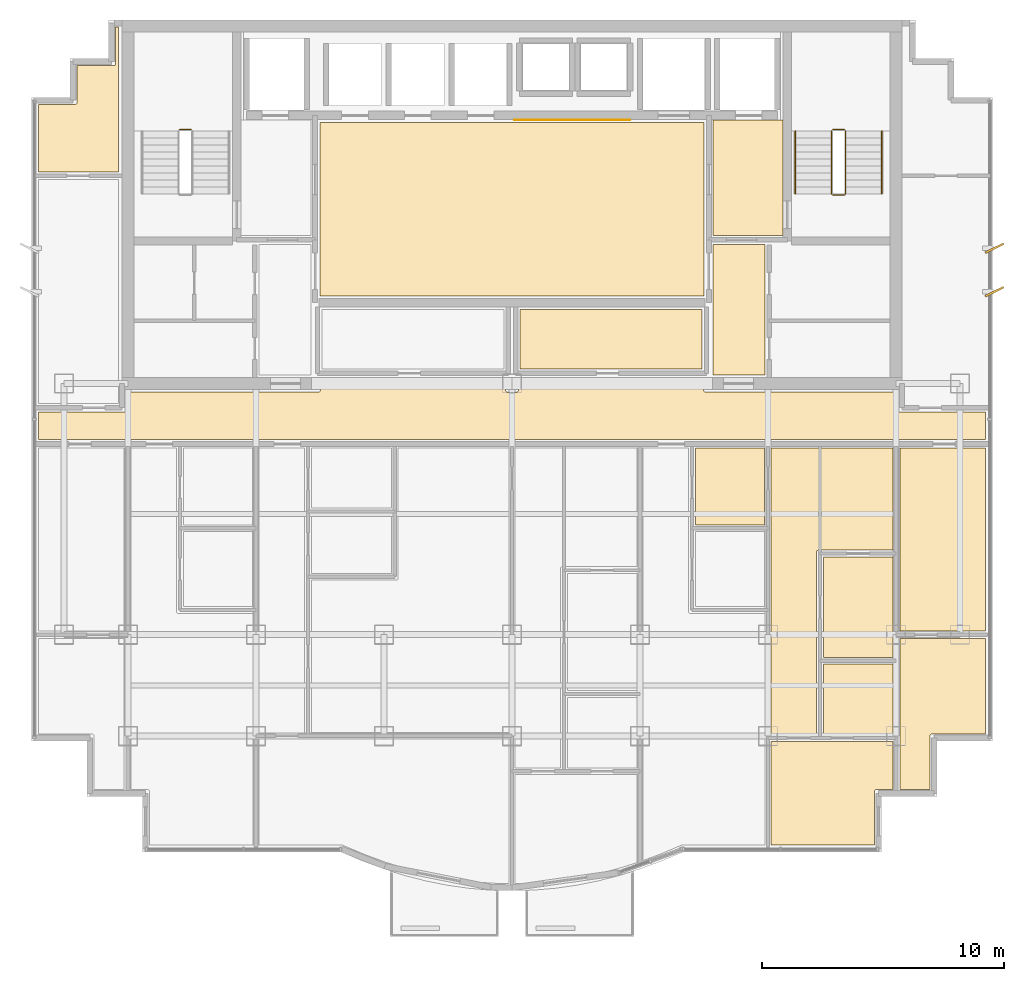
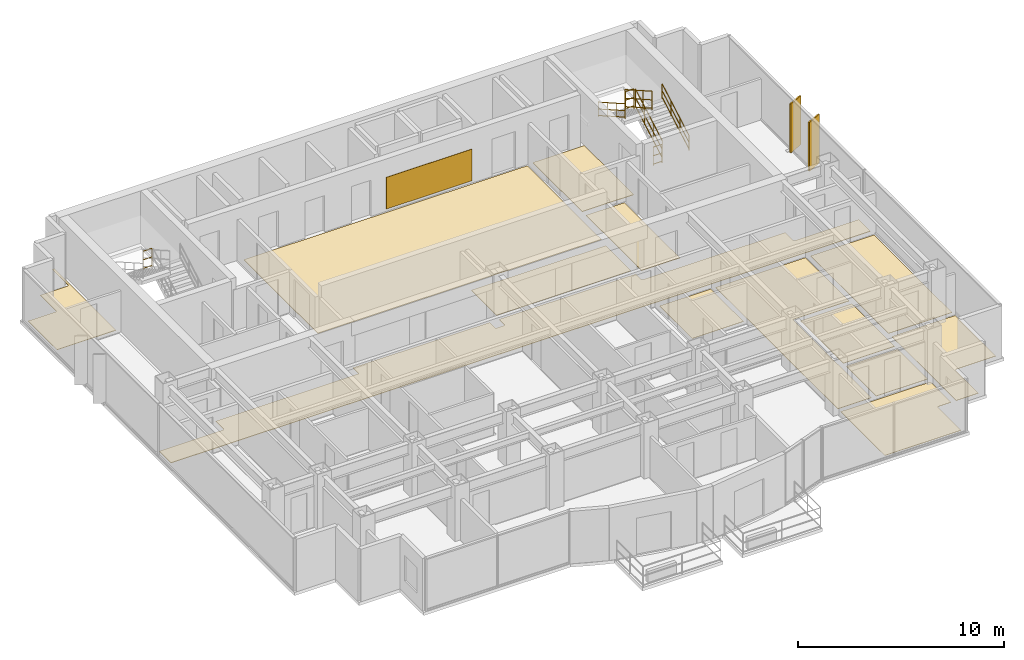
# One storey, part 12 of 12: 14 coverings, 7 railings, 2 shading devices.
"""IFC4 building model written with IfcOpenShell, lengths in metres."""

from ifc_helpers import new_model, si_unit, direction, frame, origin, origin_2d, place, context, subcontext, project, spatial, polyline, rectangle, circle, outline, extrude, source, transform, mapped, material, layer, layer_set, type_object, element, save


model = new_model("IFC4")

# Units and contexts
model_context = context("Model", 3, precision=1e-05, world=origin(), true_north=direction((0.0, 1.0)))
body_context = subcontext(model_context, "Body", "Model", "MODEL_VIEW")
ifc_project = project(units=[si_unit("LENGTHUNIT", "METRE"), si_unit("AREAUNIT", "SQUARE_METRE"), si_unit("VOLUMEUNIT", "CUBIC_METRE"), si_unit("PLANEANGLEUNIT", "RADIAN"), si_unit("MASSUNIT", "GRAM", prefix="KILO")], contexts=[model_context])

# Site, building, storey
site_placement = place(None, origin())
site = spatial("IfcSite", under=ifc_project, at=site_placement, CompositionType="ELEMENT")
building_placement = place(site_placement, origin())
building = spatial("IfcBuilding", under=site, at=building_placement, Name="Qianlan Lanfeng Residences", CompositionType="ELEMENT")
storey_placement = place(building_placement, frame((0.0, 0.0, 200.0)))
storey = spatial("IfcBuildingStorey", under=building, at=storey_placement, Name="L54", CompositionType="ELEMENT", Elevation=200.0)

# Coverings
ifc_material_1 = material(Name="Anodised Bronze Feature Wall Cladding")
ifc_layer_1 = layer(ifc_material_1, 0.02490234375)
ifc_layer_set_1 = layer_set([ifc_layer_1], Name="Anodised Bronze Feature Wall Cladding")
covering_type_1 = type_object("IfcCoveringType", Name="CLD-BRZ-25", PredefinedType="CLADDING", material=ifc_layer_set_1)
covering_1_placement = place(storey_placement, frame((0.0, 0.0, 0.14990234375)))
element("IfcCovering", 1, at=covering_1_placement, inside=storey, type_object=covering_type_1, Name="L54 Lift Lobby Bronze Feature Cladding", PredefinedType="CLADDING", context=body_context, shape_type="SweptSolid", body=[
    extrude(outline(polyline([(26.60009765625, 36.10009765625), (31.39990234375, 36.10009765625), (31.39990234375, 36.125), (26.60009765625, 36.125), (26.60009765625, 36.10009765625)])), origin(), (0.0, 0.0, 1.0), 1.880126953125),
])
ifc_material_2 = material(Name="Honed Taitung Granite Stone Flooring", Category="masonry")
ifc_layer_2 = layer(ifc_material_2, 0.030029296875)
ifc_layer_set_2 = layer_set([ifc_layer_2], Name="Honed Taitung Granite Stone Flooring")
covering_type_2 = type_object("IfcCoveringType", Name="FLR-STN-30", PredefinedType="FLOORING", material=ifc_layer_set_2)
covering_2_placement = place(storey_placement, origin())
element("IfcCovering", 2, at=covering_2_placement, inside=storey, type_object=covering_type_2, Name="L54 Firefighting Lift Lobby Floor Finish", PredefinedType="FLOORING", context=body_context, shape_type="SweptSolid", body=[
    extrude(outline(polyline([(34.820068359375, 31.320068359375), (37.7099609375, 31.320068359375), (37.7099609375, 36.110107421875), (34.820068359375, 36.110107421875), (34.820068359375, 31.320068359375)])), origin(), (0.0, 0.0, 1.0), 0.030029296875),
])
covering_3_placement = place(storey_placement, origin())
element("IfcCovering", 3, at=covering_3_placement, inside=storey, type_object=covering_type_2, Name="L54 Lift Lobby Floor Finish", PredefinedType="FLOORING", context=body_context, shape_type="SweptSolid", body=[
    extrude(outline(polyline([(18.550048828125, 28.820068359375), (34.449951171875, 28.820068359375), (34.449951171875, 36.010009765625), (18.550048828125, 36.010009765625), (18.550048828125, 28.820068359375)])), origin(), (0.0, 0.0, 1.0), 0.030029296875),
])
covering_4_placement = place(storey_placement, origin())
element("IfcCovering", 4, at=covering_4_placement, inside=storey, type_object=covering_type_2, Name="L54 Residential Corridor Floor Finish", PredefinedType="FLOORING", context=body_context, shape_type="SweptSolid", body=[
    extrude(outline(polyline([(6.889892578125, 22.8798828125), (46.110107421875, 22.8798828125), (46.110107421875, 24.02001953125), (42.5400390625, 24.02001953125), (42.532958984375, 24.02001953125), (42.52587890625, 24.02099609375), (42.52001953125, 24.02294921875), (42.512939453125, 24.02490234375), (42.507080078125, 24.028076171875), (42.5009765625, 24.031982421875), (42.49609375, 24.035888671875), (42.490966796875, 24.041015625), (42.486083984375, 24.0458984375), (42.48193359375, 24.051025390625), (42.47802734375, 24.056884765625), (42.47509765625, 24.06298828125), (42.472900390625, 24.070068359375), (42.470947265625, 24.075927734375), (42.469970703125, 24.0830078125), (42.469970703125, 24.090087890625), (42.469970703125, 24.85009765625), (34.5, 24.85009765625), (34.492919921875, 24.85009765625), (34.486083984375, 24.85107421875), (34.47998046875, 24.85302734375), (34.472900390625, 24.85498046875), (34.467041015625, 24.85791015625), (34.4609375, 24.862060546875), (34.4560546875, 24.865966796875), (34.450927734375, 24.87109375), (34.446044921875, 24.8759765625), (34.44189453125, 24.881103515625), (34.43798828125, 24.886962890625), (34.43505859375, 24.89306640625), (34.43310546875, 24.89990234375), (34.430908203125, 24.906005859375), (34.429931640625, 24.9130859375), (34.429931640625, 24.919921875), (34.429931640625, 25.429931640625), (26.77001953125, 25.429931640625), (26.77001953125, 24.919921875), (26.77001953125, 24.9130859375), (26.76904296875, 24.906005859375), (26.76708984375, 24.89990234375), (26.764892578125, 24.89306640625), (26.761962890625, 24.886962890625), (26.758056640625, 24.881103515625), (26.75390625, 24.8759765625), (26.7490234375, 24.87109375), (26.743896484375, 24.865966796875), (26.739013671875, 24.862060546875), (26.73291015625, 24.85791015625), (26.72705078125, 24.85498046875), (26.719970703125, 24.85302734375), (26.714111328125, 24.85107421875), (26.70703125, 24.85009765625), (26.699951171875, 24.85009765625), (26.300048828125, 24.85009765625), (26.29296875, 24.85009765625), (26.285888671875, 24.85107421875), (26.280029296875, 24.85302734375), (26.27294921875, 24.85498046875), (26.26708984375, 24.85791015625), (26.260986328125, 24.862060546875), (26.256103515625, 24.865966796875), (26.2509765625, 24.87109375), (26.24609375, 24.8759765625), (26.241943359375, 24.881103515625), (26.238037109375, 24.886962890625), (26.235107421875, 24.89306640625), (26.23291015625, 24.89990234375), (26.23095703125, 24.906005859375), (26.22998046875, 24.9130859375), (26.22998046875, 24.919921875), (26.22998046875, 25.429931640625), (18.570068359375, 25.429931640625), (18.570068359375, 24.919921875), (18.570068359375, 24.9130859375), (18.569091796875, 24.906005859375), (18.56689453125, 24.89990234375), (18.56494140625, 24.89306640625), (18.56201171875, 24.886962890625), (18.55810546875, 24.881103515625), (18.553955078125, 24.8759765625), (18.549072265625, 24.87109375), (18.5439453125, 24.865966796875), (18.5390625, 24.862060546875), (18.532958984375, 24.85791015625), (18.527099609375, 24.85498046875), (18.52001953125, 24.85302734375), (18.513916015625, 24.85107421875), (18.507080078125, 24.85009765625), (18.5, 24.85009765625), (10.530029296875, 24.85009765625), (10.530029296875, 24.090087890625), (10.530029296875, 24.0830078125), (10.529052734375, 24.075927734375), (10.527099609375, 24.070068359375), (10.52490234375, 24.06298828125), (10.52197265625, 24.056884765625), (10.51806640625, 24.051025390625), (10.513916015625, 24.0458984375), (10.509033203125, 24.041015625), (10.50390625, 24.035888671875), (10.4990234375, 24.031982421875), (10.492919921875, 24.028076171875), (10.487060546875, 24.02490234375), (10.47998046875, 24.02294921875), (10.47412109375, 24.02099609375), (10.467041015625, 24.02001953125), (10.4599609375, 24.02001953125), (6.889892578125, 24.02001953125), (6.889892578125, 22.8798828125)])), origin(), (0.0, 0.0, 1.0), 0.030029296875),
])
covering_5_placement = place(storey_placement, origin())
element("IfcCovering", 5, at=covering_5_placement, inside=storey, type_object=covering_type_2, Name="L54 Lift Lobby Floor Finish", PredefinedType="FLOORING", context=body_context, shape_type="SweptSolid", body=[
    extrude(outline(polyline([(34.830078125, 25.56005859375), (36.969970703125, 25.56005859375), (36.969970703125, 30.949951171875), (34.830078125, 30.949951171875), (34.830078125, 25.56005859375)])), origin(), (0.0, 0.0, 1.0), 0.030029296875),
])
ifc_material_3 = material(Name="Slip-Resistant Porcelain Tile Flooring")
ifc_layer_3 = layer(ifc_material_3, 0.02001953125)
ifc_layer_set_3 = layer_set([ifc_layer_3], Name="Slip-Resistant Porcelain Tile Flooring")
covering_type_3 = type_object("IfcCoveringType", Name="FLR-TIL-20", PredefinedType="FLOORING", material=ifc_layer_set_3)
covering_6_placement = place(storey_placement, origin())
element("IfcCovering", 6, at=covering_6_placement, inside=storey, type_object=covering_type_3, Name="L54 Bathroom Floor Finish", PredefinedType="FLOORING", context=body_context, shape_type="SweptSolid", body=[
    extrude(outline(polyline([(34.090087890625, 19.35009765625), (36.9599609375, 19.35009765625), (36.9599609375, 22.530029296875), (34.090087890625, 22.530029296875), (34.090087890625, 19.35009765625)])), origin(), (0.0, 0.0, 1.0), 0.02001953125),
])
covering_7_placement = place(storey_placement, origin())
element("IfcCovering", 7, at=covering_7_placement, inside=storey, type_object=covering_type_3, Name="L54 En-Suite Bathroom Floor Finish", PredefinedType="FLOORING", context=body_context, shape_type="SweptSolid", body=[
    extrude(outline(polyline([(39.389892578125, 10.659912109375), (42.27001953125, 10.659912109375), (42.27001953125, 13.580078125), (39.389892578125, 13.580078125), (39.389892578125, 10.659912109375)])), origin(), (0.0, 0.0, 1.0), 0.02001953125),
])
ifc_material_4 = material(Name="Engineered Smoked Oak Timber Flooring", Category="wood")
ifc_layer_4 = layer(ifc_material_4, 0.02197265625)
ifc_layer_set_4 = layer_set([ifc_layer_4], Name="Engineered Smoked Oak Timber Flooring")
covering_type_4 = type_object("IfcCoveringType", Name="FLR-TIM-22", PredefinedType="FLOORING", material=ifc_layer_set_4)
covering_8_placement = place(storey_placement, origin())
element("IfcCovering", 8, at=covering_8_placement, inside=storey, type_object=covering_type_4, Name="L54 Tea Room Floor Finish", PredefinedType="FLOORING", context=body_context, shape_type="SweptSolid", body=[
    extrude(outline(polyline([(26.830078125, 25.800048828125), (34.3701171875, 25.800048828125), (34.3701171875, 28.2548828125), (26.830078125, 28.2548828125), (26.830078125, 25.800048828125)])), origin(), (0.0, 0.0, 1.0), 0.02197265625),
])
covering_9_placement = place(storey_placement, origin())
element("IfcCovering", 9, at=covering_9_placement, inside=storey, type_object=covering_type_4, Name="L54 Private Study Floor Finish", PredefinedType="FLOORING", context=body_context, shape_type="SweptSolid", body=[
    extrude(outline(polyline([(39.389892578125, 13.860107421875), (42.27001953125, 13.860107421875), (42.27001953125, 18.02001953125), (39.389892578125, 18.02001953125), (39.389892578125, 13.860107421875)])), origin(), (0.0, 0.0, 1.0), 0.02197265625),
])
covering_10_placement = place(storey_placement, origin())
element("IfcCovering", 10, at=covering_10_placement, inside=storey, type_object=covering_type_4, Name="L54 Villa Family Sitting Room Floor Finish", PredefinedType="FLOORING", context=body_context, shape_type="SweptSolid", body=[
    extrude(outline(polyline([(37.22998046875, 10.659912109375), (39.110107421875, 10.659912109375), (39.110107421875, 18.22998046875), (39.110107421875, 18.237060546875), (39.111083984375, 18.243896484375), (39.113037109375, 18.25), (39.114990234375, 18.257080078125), (39.117919921875, 18.262939453125), (39.1220703125, 18.26904296875), (39.1259765625, 18.27392578125), (39.131103515625, 18.279052734375), (39.135986328125, 18.283935546875), (39.14111328125, 18.2880859375), (39.14697265625, 18.2919921875), (39.153076171875, 18.294921875), (39.159912109375, 18.297119140625), (39.166015625, 18.299072265625), (39.173095703125, 18.300048828125), (39.179931640625, 18.300048828125), (42.27001953125, 18.300048828125), (42.27001953125, 22.530029296875), (37.22998046875, 22.530029296875), (37.22998046875, 10.659912109375)])), origin(), (0.0, 0.0, 1.0), 0.02197265625),
])
covering_11_placement = place(storey_placement, origin())
element("IfcCovering", 11, at=covering_11_placement, inside=storey, type_object=covering_type_4, Name="L54 Master Bedroom Floor Finish", PredefinedType="FLOORING", context=body_context, shape_type="SweptSolid", body=[
    extrude(outline(polyline([(37.22998046875, 10.3798828125), (37.22998046875, 6.090087890625), (41.510009765625, 6.090087890625), (41.510009765625, 8.320068359375), (41.510009765625, 8.326904296875), (41.510986328125, 8.333984375), (41.512939453125, 8.340087890625), (41.514892578125, 8.346923828125), (41.51806640625, 8.35302734375), (41.52197265625, 8.35888671875), (41.52587890625, 8.364013671875), (41.531005859375, 8.368896484375), (41.535888671875, 8.3740234375), (41.541015625, 8.3779296875), (41.547119140625, 8.382080078125), (41.552978515625, 8.385009765625), (41.56005859375, 8.386962890625), (41.56591796875, 8.388916015625), (41.572998046875, 8.389892578125), (41.580078125, 8.389892578125), (42.27001953125, 8.389892578125), (42.27001953125, 10.3798828125), (37.22998046875, 10.3798828125)])), origin(), (0.0, 0.0, 1.0), 0.02197265625),
])
covering_12_placement = place(storey_placement, origin())
element("IfcCovering", 12, at=covering_12_placement, inside=storey, type_object=covering_type_4, Name="L54 Sunroom Floor Finish", PredefinedType="FLOORING", context=body_context, shape_type="SweptSolid", body=[
    extrude(outline(polyline([(46.110107421875, 14.64990234375), (42.56005859375, 14.64990234375), (42.56005859375, 8.389892578125), (43.81005859375, 8.389892578125), (43.81005859375, 10.6201171875), (43.81005859375, 10.626953125), (43.81103515625, 10.634033203125), (43.81298828125, 10.639892578125), (43.81494140625, 10.64697265625), (43.818115234375, 10.653076171875), (43.822021484375, 10.658935546875), (43.825927734375, 10.6640625), (43.8310546875, 10.6689453125), (43.8359375, 10.674072265625), (43.841064453125, 10.677978515625), (43.846923828125, 10.681884765625), (43.85302734375, 10.68505859375), (43.860107421875, 10.68701171875), (43.865966796875, 10.68896484375), (43.873046875, 10.68994140625), (43.8798828125, 10.68994140625), (46.110107421875, 10.68994140625), (46.110107421875, 14.64990234375)])), origin(), (0.0, 0.0, 1.0), 0.02197265625),
])
covering_13_placement = place(storey_placement, origin())
element("IfcCovering", 13, at=covering_13_placement, inside=storey, type_object=covering_type_4, Name="L54 Private Study Floor Finish", PredefinedType="FLOORING", context=body_context, shape_type="SweptSolid", body=[
    extrude(outline(polyline([(46.110107421875, 22.530029296875), (42.56005859375, 22.530029296875), (42.56005859375, 14.949951171875), (46.110107421875, 14.949951171875), (46.110107421875, 22.530029296875)])), origin(), (0.0, 0.0, 1.0), 0.02197265625),
])
covering_14_placement = place(storey_placement, origin())
element("IfcCovering", 14, at=covering_14_placement, inside=storey, type_object=covering_type_4, Name="L54 Resident Lounge Floor Finish", PredefinedType="FLOORING", context=body_context, shape_type="SweptSolid", body=[
    extrude(outline(polyline([(6.889892578125, 33.949951171875), (10.199951171875, 33.949951171875), (10.199951171875, 39.9599609375), (10.090087890625, 39.9599609375), (10.090087890625, 38.429931640625), (10.090087890625, 38.423095703125), (10.089111328125, 38.416015625), (10.0869140625, 38.409912109375), (10.0849609375, 38.403076171875), (10.08203125, 38.39697265625), (10.077880859375, 38.39111328125), (10.073974609375, 38.385986328125), (10.069091796875, 38.381103515625), (10.06396484375, 38.3759765625), (10.05908203125, 38.3720703125), (10.052978515625, 38.367919921875), (10.047119140625, 38.364990234375), (10.0400390625, 38.363037109375), (10.033935546875, 38.361083984375), (10.027099609375, 38.360107421875), (10.02001953125, 38.360107421875), (8.489990234375, 38.360107421875), (8.489990234375, 36.830078125), (8.489990234375, 36.822998046875), (8.489013671875, 36.81591796875), (8.487060546875, 36.81005859375), (8.485107421875, 36.802978515625), (8.48193359375, 36.797119140625), (8.47802734375, 36.791015625), (8.47412109375, 36.785888671875), (8.468994140625, 36.781005859375), (8.464111328125, 36.77587890625), (8.458984375, 36.77197265625), (8.452880859375, 36.76806640625), (8.447021484375, 36.764892578125), (8.43994140625, 36.762939453125), (8.43408203125, 36.760986328125), (8.427001953125, 36.760009765625), (8.419921875, 36.760009765625), (6.889892578125, 36.760009765625), (6.889892578125, 33.949951171875)])), origin(), (0.0, 0.0, 1.0), 0.02197265625),
])

# Railings
ifc_material_5 = material(Name="Painted Galvanised Steel Guardrail", Category="steel")
railing_type_1 = type_object("IfcRailingType", Name="GR-ST-1120", PredefinedType="GUARDRAIL", material=ifc_material_5)
railing_1_placement = place(storey_placement, frame((13.219970703125, 35.7099609375, 1.64990234375)))
element("IfcRailing", 15, at=railing_1_placement, inside=storey, type_object=railing_type_1, Name="L54 ST-1 stair guard 2", PredefinedType="GUARDRAIL", context=body_context, shape_type="SweptSolid", body=[
    extrude(circle(Radius=0.02392578125, at=origin_2d()), frame((0.0, 0.0, 0.083984375), z_axis=(-1.0, 0.0, 0.0), x_axis=(0.0, -1.0, 0.0)), (0.0, 0.0, 1.0), 0.47998046875),
    extrude(circle(Radius=0.02392578125, at=origin_2d()), frame((0.0, 0.0, 0.58251953125), z_axis=(-1.0, 0.0, 0.0), x_axis=(0.0, -1.0, 0.0)), (0.0, 0.0, 1.0), 0.47998046875),
    extrude(circle(Radius=0.02392578125, at=origin_2d()), frame((0.0, 0.0, 1.09619140625), z_axis=(-1.0, 0.0, 0.0), x_axis=(0.0, -1.0, 0.0)), (0.0, 0.0, 1.0), 0.47998046875),
    extrude(circle(Radius=0.02099609375, at=origin_2d()), origin(), (0.0, 0.0, 1.0), 1.072021484375),
    extrude(circle(Radius=0.02099609375, at=origin_2d()), frame((-0.47998046875, 0.0, 0.0)), (0.0, 0.0, 1.0), 1.072021484375),
])
railing_2_placement = place(storey_placement, frame((40.31005859375, 33.050048828125, 0.1650390625)))
element("IfcRailing", 16, at=railing_2_placement, inside=storey, type_object=railing_type_1, Name="L54 ST-2 stair guard 1", PredefinedType="GUARDRAIL", context=body_context, shape_type="SweptSolid", body=[
    extrude(circle(Radius=0.02392578125, at=origin_2d()), frame((0.0, 0.0, 0.083984375), z_axis=(0.0, 0.869172267526, 0.494509422927), x_axis=(-1.0, 0.0, 0.0)), (0.0, 0.0, 1.0), 3.002685546875),
    extrude(circle(Radius=0.02392578125, at=origin_2d()), frame((0.0, 0.0, 0.58251953125), z_axis=(0.0, 0.869172267526, 0.494509422927), x_axis=(-1.0, 0.0, 0.0)), (0.0, 0.0, 1.0), 3.002685546875),
    extrude(circle(Radius=0.02392578125, at=origin_2d()), frame((0.0, 0.0, 1.09619140625), z_axis=(0.0, 0.869172267526, 0.494509422927), x_axis=(-1.0, 0.0, 0.0)), (0.0, 0.0, 1.0), 3.002685546875),
    extrude(circle(Radius=0.02099609375, at=origin_2d()), origin(), (0.0, 0.0, 1.0), 1.072021484375),
    extrude(circle(Radius=0.02099609375, at=origin_2d()), frame((0.0, 0.869873046875, 0.494873046875)), (0.0, 0.0, 1.0), 1.072021484375),
    extrude(circle(Radius=0.02099609375, at=origin_2d()), frame((0.0, 1.739990234375, 0.989990234375)), (0.0, 0.0, 1.0), 1.072021484375),
    extrude(circle(Radius=0.02099609375, at=origin_2d()), frame((0.0, 2.60986328125, 1.48486328125)), (0.0, 0.0, 1.0), 1.072021484375),
])
railing_3_placement = place(storey_placement, frame((40.260009765625, 35.7099609375, 1.64990234375)))
element("IfcRailing", 17, at=railing_3_placement, inside=storey, type_object=railing_type_1, Name="L54 ST-2 stair guard 2", PredefinedType="GUARDRAIL", context=body_context, shape_type="SweptSolid", body=[
    extrude(circle(Radius=0.02392578125, at=origin_2d()), frame((0.0, 0.0, 0.083984375), z_axis=(-1.0, 0.0, 0.0), x_axis=(0.0, -1.0, 0.0)), (0.0, 0.0, 1.0), 0.47998046875),
    extrude(circle(Radius=0.02392578125, at=origin_2d()), frame((0.0, 0.0, 0.58251953125), z_axis=(-1.0, 0.0, 0.0), x_axis=(0.0, -1.0, 0.0)), (0.0, 0.0, 1.0), 0.47998046875),
    extrude(circle(Radius=0.02392578125, at=origin_2d()), frame((0.0, 0.0, 1.09619140625), z_axis=(-1.0, 0.0, 0.0), x_axis=(0.0, -1.0, 0.0)), (0.0, 0.0, 1.0), 0.47998046875),
    extrude(circle(Radius=0.02099609375, at=origin_2d()), origin(), (0.0, 0.0, 1.0), 1.072021484375),
    extrude(circle(Radius=0.02099609375, at=origin_2d()), frame((-0.47998046875, 0.0, 0.0)), (0.0, 0.0, 1.0), 1.072021484375),
])
railing_4_placement = place(storey_placement, frame((39.72998046875, 35.659912109375, 1.81494140625)))
element("IfcRailing", 18, at=railing_4_placement, inside=storey, type_object=railing_type_1, Name="L54 ST-2 stair guard 3", PredefinedType="GUARDRAIL", context=body_context, shape_type="SweptSolid", body=[
    extrude(circle(Radius=0.02392578125, at=origin_2d()), frame((0.0, 0.0, 0.083984375), z_axis=(0.0, -0.869137319866, 0.494570843475), x_axis=(1.0, 0.0, 0.0)), (0.0, 0.0, 1.0), 3.0029296875),
    extrude(circle(Radius=0.02392578125, at=origin_2d()), frame((0.0, 0.0, 0.58251953125), z_axis=(0.0, -0.869137319866, 0.494570843475), x_axis=(1.0, 0.0, 0.0)), (0.0, 0.0, 1.0), 3.0029296875),
    extrude(circle(Radius=0.02392578125, at=origin_2d()), frame((0.0, 0.0, 1.09619140625), z_axis=(0.0, -0.869137319866, 0.494570843475), x_axis=(1.0, 0.0, 0.0)), (0.0, 0.0, 1.0), 3.0029296875),
    extrude(circle(Radius=0.02099609375, at=origin_2d()), origin(), (0.0, 0.0, 1.0), 1.072021484375),
    extrude(circle(Radius=0.02099609375, at=origin_2d()), frame((0.0, -0.869873046875, 0.4951171875)), (0.0, 0.0, 1.0), 1.072021484375),
    extrude(circle(Radius=0.02099609375, at=origin_2d()), frame((0.0, -1.739990234375, 0.989990234375)), (0.0, 0.0, 1.0), 1.072021484375),
    extrude(circle(Radius=0.02099609375, at=origin_2d()), frame((0.0, -2.60986328125, 1.485107421875)), (0.0, 0.0, 1.0), 1.072021484375),
])
railing_5_placement = place(storey_placement, frame((40.260009765625, 33.0, 0.0)))
element("IfcRailing", 19, at=railing_5_placement, inside=storey, type_object=railing_type_1, Name="L54 ST-2 stair guard 4", PredefinedType="GUARDRAIL", context=body_context, shape_type="SweptSolid", body=[
    extrude(circle(Radius=0.02392578125, at=origin_2d()), frame((0.0, 0.0, 0.083984375), z_axis=(-1.0, 0.0, 0.0), x_axis=(0.0, -1.0, 0.0)), (0.0, 0.0, 1.0), 0.47998046875),
    extrude(circle(Radius=0.02392578125, at=origin_2d()), frame((0.0, 0.0, 0.58251953125), z_axis=(-1.0, 0.0, 0.0), x_axis=(0.0, -1.0, 0.0)), (0.0, 0.0, 1.0), 0.47998046875),
    extrude(circle(Radius=0.02392578125, at=origin_2d()), frame((0.0, 0.0, 1.09619140625), z_axis=(-1.0, 0.0, 0.0), x_axis=(0.0, -1.0, 0.0)), (0.0, 0.0, 1.0), 0.47998046875),
    extrude(circle(Radius=0.02099609375, at=origin_2d()), origin(), (0.0, 0.0, 1.0), 1.072021484375),
    extrude(circle(Radius=0.02099609375, at=origin_2d()), frame((-0.47998046875, 0.0, 0.0)), (0.0, 0.0, 1.0), 1.072021484375),
])
ifc_material_6 = material(Name="Brushed Stainless Steel Handrail", Category="steel")
railing_type_2 = type_object("IfcRailingType", Name="HR-ST-920", PredefinedType="HANDRAIL", material=ifc_material_6)
railing_6_placement = place(storey_placement, frame((41.81005859375, 33.050048828125, 0.1650390625)))
element("IfcRailing", 20, at=railing_6_placement, inside=storey, type_object=railing_type_2, Name="L54 ST-2 stair handrail 1", PredefinedType="HANDRAIL", context=body_context, shape_type="SweptSolid", body=[
    extrude(circle(Radius=0.02392578125, at=origin_2d()), frame((0.0, 0.0, 0.083984375), z_axis=(0.0, 0.869172267526, 0.494509422927), x_axis=(-1.0, 0.0, 0.0)), (0.0, 0.0, 1.0), 3.002685546875),
    extrude(circle(Radius=0.02392578125, at=origin_2d()), frame((0.0, 0.0, 0.468017578125), z_axis=(0.0, 0.869172267526, 0.494509422927), x_axis=(-1.0, 0.0, 0.0)), (0.0, 0.0, 1.0), 3.002685546875),
    extrude(circle(Radius=0.02392578125, at=origin_2d()), frame((0.0, 0.0, 0.8759765625), z_axis=(0.0, 0.869172267526, 0.494509422927), x_axis=(-1.0, 0.0, 0.0)), (0.0, 0.0, 1.0), 3.002685546875),
    extrude(circle(Radius=0.02099609375, at=origin_2d()), origin(), (0.0, 0.0, 1.0), 0.851806640625),
    extrude(circle(Radius=0.02099609375, at=origin_2d()), frame((0.0, 0.869873046875, 0.494873046875)), (0.0, 0.0, 1.0), 0.851806640625),
    extrude(circle(Radius=0.02099609375, at=origin_2d()), frame((0.0, 1.739990234375, 0.989990234375)), (0.0, 0.0, 1.0), 0.851806640625),
    extrude(circle(Radius=0.02099609375, at=origin_2d()), frame((0.0, 2.60986328125, 1.48486328125)), (0.0, 0.0, 1.0), 0.851806640625),
])
railing_7_placement = place(storey_placement, frame((38.22998046875, 35.659912109375, 1.81494140625)))
element("IfcRailing", 21, at=railing_7_placement, inside=storey, type_object=railing_type_2, Name="L54 ST-2 stair handrail 2", PredefinedType="HANDRAIL", context=body_context, shape_type="SweptSolid", body=[
    extrude(circle(Radius=0.02392578125, at=origin_2d()), frame((0.0, 0.0, 0.083984375), z_axis=(0.0, -0.869137319866, 0.494570843475), x_axis=(1.0, 0.0, 0.0)), (0.0, 0.0, 1.0), 3.0029296875),
    extrude(circle(Radius=0.02392578125, at=origin_2d()), frame((0.0, 0.0, 0.468017578125), z_axis=(0.0, -0.869137319866, 0.494570843475), x_axis=(1.0, 0.0, 0.0)), (0.0, 0.0, 1.0), 3.0029296875),
    extrude(circle(Radius=0.02392578125, at=origin_2d()), frame((0.0, 0.0, 0.8759765625), z_axis=(0.0, -0.869137319866, 0.494570843475), x_axis=(1.0, 0.0, 0.0)), (0.0, 0.0, 1.0), 3.0029296875),
    extrude(circle(Radius=0.02099609375, at=origin_2d()), origin(), (0.0, 0.0, 1.0), 0.851806640625),
    extrude(circle(Radius=0.02099609375, at=origin_2d()), frame((0.0, -0.869873046875, 0.4951171875)), (0.0, 0.0, 1.0), 0.851806640625),
    extrude(circle(Radius=0.02099609375, at=origin_2d()), frame((0.0, -1.739990234375, 0.989990234375)), (0.0, 0.0, 1.0), 0.851806640625),
    extrude(circle(Radius=0.02099609375, at=origin_2d()), frame((0.0, -2.60986328125, 1.485107421875)), (0.0, 0.0, 1.0), 0.851806640625),
])

# Shading devices
ifc_material_7 = material(Name="Anodised Bronze Aluminium Solar Fin", Category="aluminium")
shading_device_type = type_object("IfcShadingDeviceType", Name="FIN-BRZ-850", PredefinedType="SHUTTER", material=ifc_material_7)
shared_shape = source(origin(), body_context, "Body", "SweptSolid", [
    extrude(rectangle(XDim=0.85009765625, YDim=0.080078125, at=origin_2d()), origin(), (0.0, 0.0, 1.0), 2.89990234375),
])
for number, where, z_axis, x_axis, name in (
    (22, (46.469970703125, 29.0, 0.0), (0.0, 0.0, 1.0), (0.898794046299, 0.438371146789, 0.0), "L54 Raked Bronze Solar Fin E1"),
    (23, (46.469970703125, 30.800048828125, 0.0), (0.0, 0.0, 1.0), (0.898794046299, 0.438371146789, 0.0), "L54 Raked Bronze Solar Fin E2"),
):
    element("IfcShadingDevice", number, at=place(storey_placement, frame(where, z_axis=z_axis, x_axis=x_axis)), inside=storey, type_object=shading_device_type, Name=name, PredefinedType="SHUTTER", context=body_context, shape_type="MappedRepresentation", body=[
        mapped(shared_shape, transform((0.0, 0.0, 0.0), scale=1.0)),
    ])

save(model, "model.ifc")
